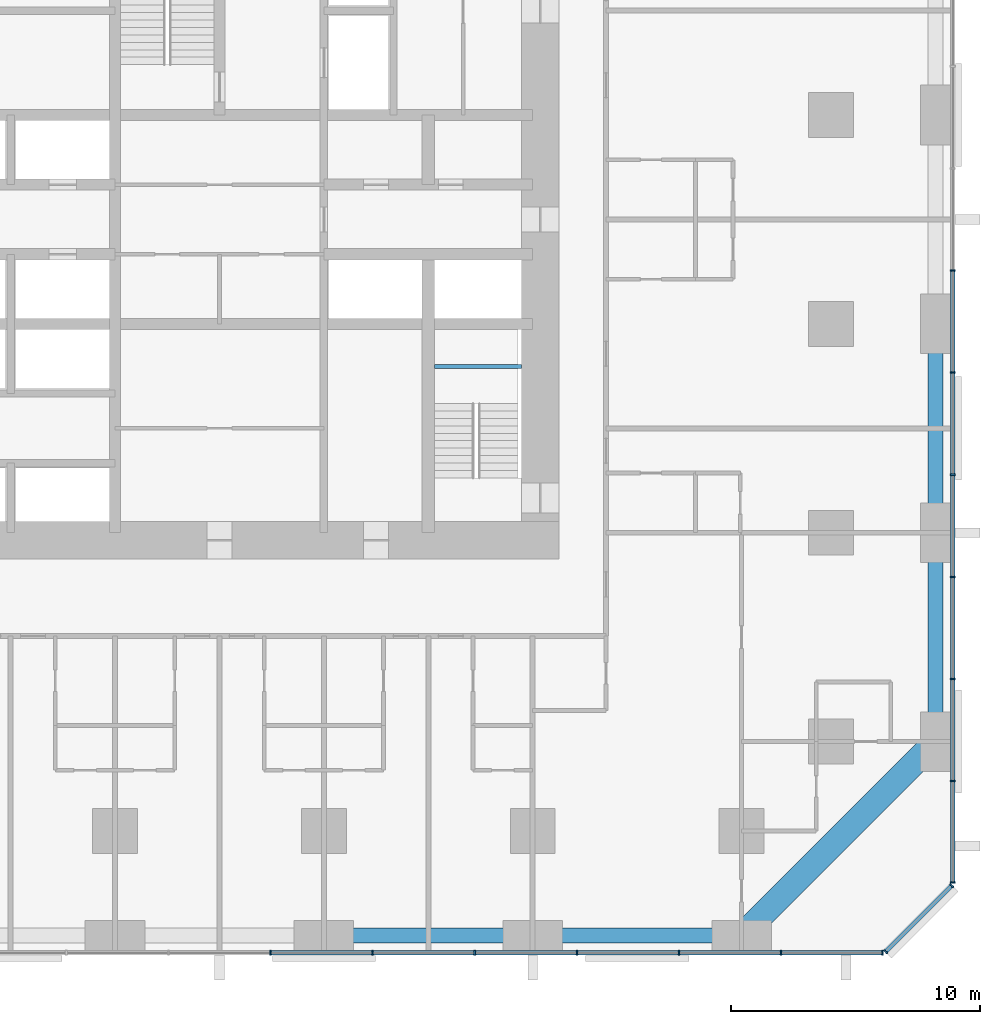
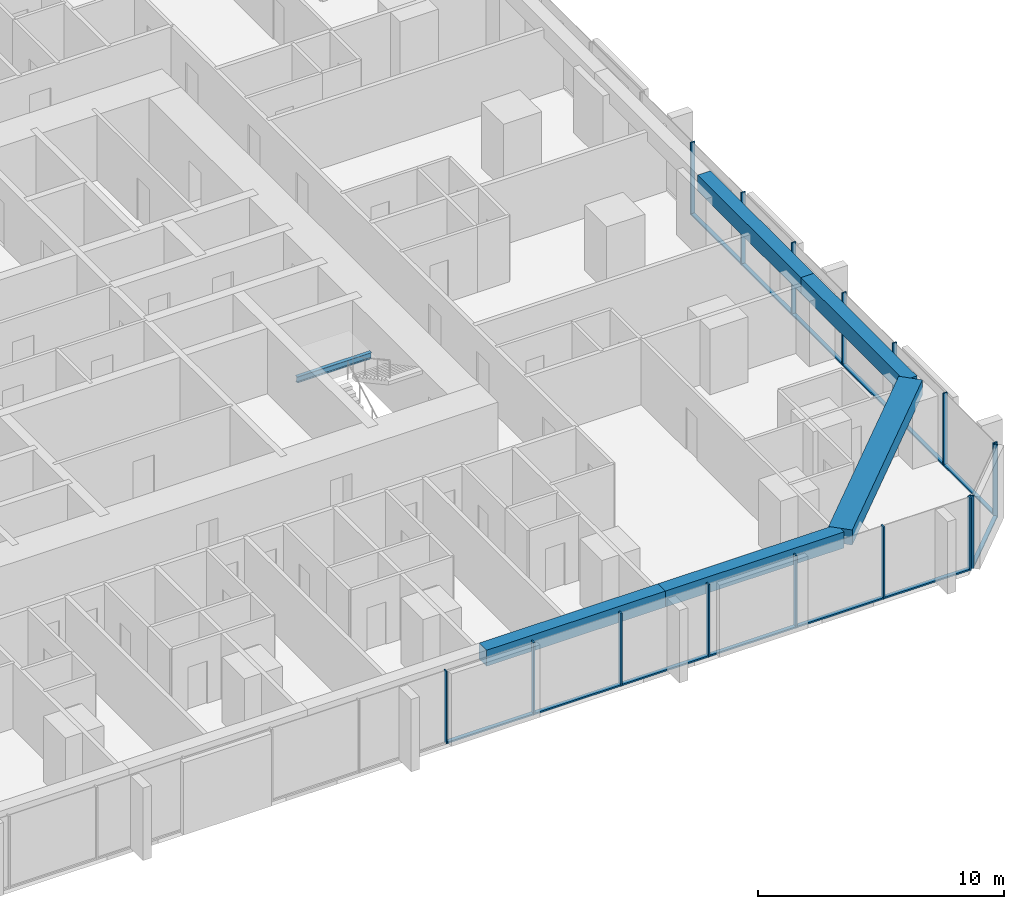
# One storey, part 4 of 17: 29 members, 6 beams, 3 elements without a shape of their own.
"""IFC4 building model written with IfcOpenShell, lengths in metres."""

import ifcopenshell
import ifcopenshell.guid

model = None  # the IFC model being written
_history = None  # IfcOwnerHistory: only IFC2X3 demands one
_inside = {}  # id of a spatial element -> (the spatial element, [elements in it])
_under = {}  # id of a project, library or spatial element -> (it, [spatial elements below it])
_declared = {}  # id of a project -> (the project, [libraries it declares])
_typed = {}  # id of a type object -> (the type object, [elements of that type])
_made_of = {}  # id of a material, layer set ... -> (it, [elements and type objects made of it])


def new_model(schema):
    """Start an empty IFC model of exactly this schema.

    Asked for "IFC4X3", IfcOpenShell would pick the latest addendum, in which some entities
    have other attributes; the version numbers below select the first issue.
    IFC2X3 requires an IfcOwnerHistory on every rooted entity: one is made here for all.
    """
    global model, _history
    if schema == "IFC4X3":
        model = ifcopenshell.file(schema_version=(4, 3, 0, 0))
    else:
        model = ifcopenshell.file(schema=schema)
    _inside.clear()
    _under.clear()
    _declared.clear()
    _typed.clear()
    _made_of.clear()
    _history = None
    if model.schema == "IFC2X3":
        org = make("IfcOrganization", Name="unknown")
        user = make(
            "IfcPersonAndOrganization",
            ThePerson=make("IfcPerson", FamilyName="unknown"),
            TheOrganization=org,
        )
        app = make(
            "IfcApplication",
            ApplicationDeveloper=org,
            Version="unknown",
            ApplicationFullName="unknown",
            ApplicationIdentifier="unknown",
        )
        _history = make(
            "IfcOwnerHistory",
            OwningUser=user,
            OwningApplication=app,
            ChangeAction="ADDED",
            CreationDate=0,
        )
    return model


def make(cls, **values):
    """One entity of the class cls with the attributes given. An attribute that is None is left unset."""
    return model.create_entity(
        cls, **{name: value for name, value in values.items() if value is not None}
    )


def rooted(cls, **values):
    """An entity with a GlobalId (a new one), such as an element, a storey or a relation."""
    return make(cls, GlobalId=ifcopenshell.guid.new(), OwnerHistory=_history, **values)


def si_unit(unit_type, name, prefix=None):
    """IfcSIUnit, for example si_unit("LENGTHUNIT", "METRE", prefix="MILLI")."""
    return make("IfcSIUnit", UnitType=unit_type, Prefix=prefix, Name=name)


def assignment(units):
    """IfcUnitAssignment: the units of a project."""
    return None if units is None else make("IfcUnitAssignment", Units=units)


def point(xyz):
    """IfcCartesianPoint."""
    return None if xyz is None else make("IfcCartesianPoint", Coordinates=xyz)


def direction(xyz):
    """IfcDirection."""
    return None if xyz is None else make("IfcDirection", DirectionRatios=xyz)


def frame(location, z_axis=None, x_axis=None):
    """IfcAxis2Placement3D, a coordinate frame: its origin and axes. An axis left out is left unset."""
    return make(
        "IfcAxis2Placement3D",
        Location=point(location),
        Axis=direction(z_axis),
        RefDirection=direction(x_axis),
    )


def frame_2d(location, x_axis=None):
    """IfcAxis2Placement2D, a coordinate frame in the plane: its origin and x axis."""
    return make(
        "IfcAxis2Placement2D", Location=point(location), RefDirection=direction(x_axis)
    )


def origin():
    """The frame at (0, 0, 0) with its axes left unset."""
    return frame((0.0, 0.0, 0.0))


def origin_2d():
    """The frame at (0, 0) in the plane with its x axis left unset."""
    return frame_2d((0.0, 0.0))


def place(relative_to, where):
    """IfcLocalPlacement: puts the frame where relative to a parent placement (None: the world)."""
    return make(
        "IfcLocalPlacement", PlacementRelTo=relative_to, RelativePlacement=where
    )


def context(
    kind, dimensions, precision=None, world=None, true_north=None, identifier=None
):
    """IfcGeometricRepresentationContext, for example the 3D "Model" context."""
    return make(
        "IfcGeometricRepresentationContext",
        ContextIdentifier=identifier,
        ContextType=kind,
        CoordinateSpaceDimension=dimensions,
        Precision=precision,
        WorldCoordinateSystem=world,
        TrueNorth=true_north,
    )


def subcontext(parent, identifier, kind, view, scale=None):
    """IfcGeometricRepresentationSubContext, for example "Body" below "Model"."""
    return make(
        "IfcGeometricRepresentationSubContext",
        ContextIdentifier=identifier,
        ContextType=kind,
        ParentContext=parent,
        TargetScale=scale,
        TargetView=view,
    )


def project(units=None, contexts=None):
    """IfcProject with its units and contexts."""
    return rooted(
        "IfcProject",
        Name="project",
        RepresentationContexts=contexts,
        UnitsInContext=assignment(units),
    )


def spatial(cls, under=None, at=None, **own):
    """A site, building, storey or space (cls), placed at a placement, below another one or the project."""
    s = rooted(cls, ObjectPlacement=at, **own)
    if under is not None:
        _under.setdefault(under.id(), (under, []))[1].append(s)
    return s


def profile(cls, at=None, kind="AREA", **sizes):
    """A parametric profile (cls). Its sizes go by their IFC names, for example OverallWidth=200.0."""
    return make(cls, ProfileType=kind, Position=at, **sizes)


def rectangle(**sizes):
    """IfcRectangleProfileDef."""
    return profile("IfcRectangleProfileDef", **sizes)


def i_section(**sizes):
    """IfcIShapeProfileDef."""
    return profile("IfcIShapeProfileDef", **sizes)


def extrude(swept, where, along, depth):
    """IfcExtrudedAreaSolid: the profile swept, set in the frame where, extruded along a direction by depth."""
    return make(
        "IfcExtrudedAreaSolid",
        SweptArea=swept,
        Position=where,
        ExtrudedDirection=direction(along),
        Depth=depth,
    )


def shape(context_of_items, identifier, shape_type, items):
    """IfcShapeRepresentation: the items that make up one representation, for example the "Body"."""
    return make(
        "IfcShapeRepresentation",
        ContextOfItems=context_of_items,
        RepresentationIdentifier=identifier,
        RepresentationType=shape_type,
        Items=items,
    )


def material(Name=None, Category=None):
    """IfcMaterial."""
    return make("IfcMaterial", Name=Name, Category=Category)


def material_profile(
    of_material, cross_section, Name=None, Category=None, Priority=None
):
    """IfcMaterialProfile: a cross section and its material."""
    return make(
        "IfcMaterialProfile",
        Name=Name,
        Material=of_material,
        Profile=cross_section,
        Priority=Priority,
        Category=Category,
    )


def profile_set(profiles, Name=None, composite=None):
    """IfcMaterialProfileSet."""
    return make(
        "IfcMaterialProfileSet",
        Name=Name,
        MaterialProfiles=profiles,
        CompositeProfile=composite,
    )


def made_of(thing, what):
    """Note that an element or type object is made of a material, layer set ...; save() writes the relation."""
    if what is not None:
        _made_of.setdefault(what.id(), (what, []))[1].append(thing)
    return thing


def type_object(cls, material=None, **own):
    """A type object (cls), such as IfcWallType, which elements share."""
    return made_of(rooted(cls, **own), material)


def element(
    cls,
    number,
    at=None,
    inside=None,
    cuts=None,
    type_object=None,
    material=None,
    context=None,
    identifier="Body",
    shape_type=None,
    held_by="IfcProductDefinitionShape",
    body=None,
    shapes=None,
    **own,
):
    """One element of the class cls, such as IfcWall. Its Tag is "e" and its number.

    at: its placement. inside: the storey or other place that contains it. cuts: it is an
    opening in that element (IfcRelVoidsElement). A single representation is given by context,
    identifier, shape_type and body (its items); several are given by shapes. held_by: the class
    of the entity that holds the representations. save() writes the other relations.
    """
    e = rooted(cls, Tag="e%d" % number, ObjectPlacement=at, **own)
    if body is not None:
        shapes = [shape(context, identifier, shape_type, body)]
    if shapes is not None:
        e.Representation = make(held_by, Representations=shapes)
    if inside is not None:
        _inside.setdefault(inside.id(), (inside, []))[1].append(e)
    if cuts is not None:
        rooted(
            "IfcRelVoidsElement", RelatingBuildingElement=cuts, RelatedOpeningElement=e
        )
    if type_object is not None:
        _typed.setdefault(type_object.id(), (type_object, []))[1].append(e)
    return made_of(e, material)


def aggregate(whole, parts):
    """IfcRelAggregates: a whole, such as a stair, and the parts it consists of."""
    return rooted("IfcRelAggregates", RelatingObject=whole, RelatedObjects=parts)


def save(model, path):
    """Write the relations noted so far, then the file.

    IfcRelAggregates (storeys below a building ...), IfcRelContainedInSpatialStructure (elements
    in a storey), IfcRelDefinesByType, IfcRelAssociatesMaterial and IfcRelDeclares: one each for
    every whole, place, type object, material and project.
    """
    for whole, parts in _under.values():
        aggregate(whole, parts)
    for where, things in _inside.values():
        rooted(
            "IfcRelContainedInSpatialStructure",
            RelatedElements=things,
            RelatingStructure=where,
        )
    for kind, things in _typed.values():
        rooted("IfcRelDefinesByType", RelatedObjects=things, RelatingType=kind)
    for what, things in _made_of.values():
        rooted("IfcRelAssociatesMaterial", RelatedObjects=things, RelatingMaterial=what)
    for by, libraries in _declared.values():
        rooted("IfcRelDeclares", RelatingContext=by, RelatedDefinitions=libraries)
    model.write(path)


model = new_model("IFC4")

# Units and contexts
model_context = context("Model", 3, precision=1e-05, world=origin(), true_north=direction((0.0, 1.0)))
body_context = subcontext(model_context, "Body", "Model", "MODEL_VIEW")
ifc_project = project(units=[si_unit("LENGTHUNIT", "METRE"), si_unit("AREAUNIT", "SQUARE_METRE"), si_unit("VOLUMEUNIT", "CUBIC_METRE"), si_unit("PLANEANGLEUNIT", "RADIAN"), si_unit("MASSUNIT", "GRAM", prefix="KILO")], contexts=[model_context])

# Site, building, storey
site_placement = place(None, origin())
site = spatial("IfcSite", under=ifc_project, at=site_placement, CompositionType="ELEMENT")
building_placement = place(site_placement, origin())
building = spatial("IfcBuilding", under=site, at=building_placement, Name="Dunama Terrace Hotel", CompositionType="ELEMENT")
storey_placement = place(building_placement, frame((0.0, 0.0, 70.199951171875)))
storey = spatial("IfcBuildingStorey", under=building, at=storey_placement, Name="L17", CompositionType="ELEMENT", Elevation=70.199951171875)

# Curtain wall, members
ifc_material_1 = material(Name="Aluminium curtain wall system", Category="aluminium")
curtain_wall_type = type_object("IfcCurtainWallType", Name="Unitised fritted glass wall CW-A", PredefinedType="NOTDEFINED", material=ifc_material_1)
curtain_wall_1_placement = place(storey_placement, origin())
curtain_wall_1 = element("IfcCurtainWall", 1, at=curtain_wall_1_placement, inside=storey, type_object=curtain_wall_type, Name="Unitised fritted glass wall CW-A L17", PredefinedType="NOTDEFINED")
ifc_material_2 = material(Name="Aluminium mullion", Category="aluminium")
ifc_material_profile_1 = material_profile(ifc_material_2, rectangle(XDim=0.06494140625, YDim=0.199951171875, at=origin_2d()), Name="CWA MULLION 65X200")
ifc_profile_set_1 = profile_set([ifc_material_profile_1], Name="Aluminium mullion")
member_type_1 = type_object("IfcMemberType", Name="CWA mullion 65x200", PredefinedType="MULLION", material=ifc_profile_set_1)
member_1_placement = place(storey_placement, frame((31.4541015625, -0.10009765625, 0.0), z_axis=(0.0, 0.0, 1.0), x_axis=(1.0, 0.0, 0.0)))
member_1 = element("IfcMember", 2, at=member_1_placement, type_object=member_type_1, Name="CWA mullion", PredefinedType="MULLION", context=body_context, shape_type="SweptSolid", body=[
    extrude(rectangle(XDim=0.06494140625, YDim=0.199951171875, at=origin_2d()), origin(), (0.0, 0.0, 1.0), 3.60009765625),
])
member_2_placement = place(storey_placement, frame((35.56201171875, -0.10009765625, 0.0), z_axis=(0.0, 0.0, 1.0), x_axis=(1.0, 0.0, 0.0)))
member_2 = element("IfcMember", 3, at=member_2_placement, type_object=member_type_1, Name="CWA mullion", PredefinedType="MULLION", context=body_context, shape_type="SweptSolid", body=[
    extrude(rectangle(XDim=0.06494140625, YDim=0.199951171875, at=origin_2d()), origin(), (0.0, 0.0, 1.0), 3.60009765625),
])
member_3_placement = place(storey_placement, frame((39.6689453125, -0.10009765625, 0.0), z_axis=(0.0, 0.0, 1.0), x_axis=(1.0, 0.0, 0.0)))
member_3 = element("IfcMember", 4, at=member_3_placement, type_object=member_type_1, Name="CWA mullion", PredefinedType="MULLION", context=body_context, shape_type="SweptSolid", body=[
    extrude(rectangle(XDim=0.06494140625, YDim=0.199951171875, at=origin_2d()), origin(), (0.0, 0.0, 1.0), 3.60009765625),
])
member_4_placement = place(storey_placement, frame((43.777099609375, -0.10009765625, 0.0), z_axis=(0.0, 0.0, 1.0), x_axis=(1.0, 0.0, 0.0)))
member_4 = element("IfcMember", 5, at=member_4_placement, type_object=member_type_1, Name="CWA mullion", PredefinedType="MULLION", context=body_context, shape_type="SweptSolid", body=[
    extrude(rectangle(XDim=0.06494140625, YDim=0.199951171875, at=origin_2d()), origin(), (0.0, 0.0, 1.0), 3.60009765625),
])
member_5_placement = place(storey_placement, frame((47.885009765625, -0.10009765625, 0.0), z_axis=(0.0, 0.0, 1.0), x_axis=(1.0, 0.0, 0.0)))
member_5 = element("IfcMember", 6, at=member_5_placement, type_object=member_type_1, Name="CWA mullion", PredefinedType="MULLION", context=body_context, shape_type="SweptSolid", body=[
    extrude(rectangle(XDim=0.06494140625, YDim=0.199951171875, at=origin_2d()), origin(), (0.0, 0.0, 1.0), 3.60009765625),
])
member_6_placement = place(storey_placement, frame((51.991943359375, -0.10009765625, 0.0), z_axis=(0.0, 0.0, 1.0), x_axis=(1.0, 0.0, 0.0)))
member_6 = element("IfcMember", 7, at=member_6_placement, type_object=member_type_1, Name="CWA mullion", PredefinedType="MULLION", context=body_context, shape_type="SweptSolid", body=[
    extrude(rectangle(XDim=0.06494140625, YDim=0.199951171875, at=origin_2d()), origin(), (0.0, 0.0, 1.0), 3.60009765625),
])
member_7_placement = place(storey_placement, frame((56.06689453125, -0.10009765625, 0.0), z_axis=(0.0, 0.0, 1.0), x_axis=(1.0, 0.0, 0.0)))
member_7 = element("IfcMember", 8, at=member_7_placement, type_object=member_type_1, Name="CWA mullion", PredefinedType="MULLION", context=body_context, shape_type="SweptSolid", body=[
    extrude(rectangle(XDim=0.06494140625, YDim=0.199951171875, at=origin_2d()), origin(), (0.0, 0.0, 1.0), 3.60009765625),
])

curtain_wall_2_placement = place(storey_placement, origin())
curtain_wall_2 = element("IfcCurtainWall", 9, at=curtain_wall_2_placement, inside=storey, type_object=curtain_wall_type, Name="Unitised fritted glass wall CW-A L17", PredefinedType="NOTDEFINED")
member_8_placement = place(storey_placement, frame((56.194091796875, -0.048095703125, 0.0), z_axis=(0.0, 0.0, 1.0), x_axis=(0.707106781187, 0.707106781187, 0.0)))
member_8 = element("IfcMember", 10, at=member_8_placement, type_object=member_type_1, Name="CWA mullion", PredefinedType="MULLION", context=body_context, shape_type="SweptSolid", body=[
    extrude(rectangle(XDim=0.06494140625, YDim=0.199951171875, at=origin_2d()), origin(), (0.0, 0.0, 1.0), 3.60009765625),
])
member_9_placement = place(storey_placement, frame((58.847900390625, 2.60595703125, 0.0), z_axis=(0.0, 0.0, 1.0), x_axis=(0.707106781187, 0.707106781187, 0.0)))
member_9 = element("IfcMember", 11, at=member_9_placement, type_object=member_type_1, Name="CWA mullion", PredefinedType="MULLION", context=body_context, shape_type="SweptSolid", body=[
    extrude(rectangle(XDim=0.06494140625, YDim=0.199951171875, at=origin_2d()), origin(), (0.0, 0.0, 1.0), 3.60009765625),
])

curtain_wall_3_placement = place(storey_placement, origin())
curtain_wall_3 = element("IfcCurtainWall", 12, at=curtain_wall_3_placement, inside=storey, type_object=curtain_wall_type, Name="Unitised fritted glass wall CW-A L17", PredefinedType="NOTDEFINED")
member_10_placement = place(storey_placement, frame((58.89990234375, 2.73291015625, 0.0), z_axis=(0.0, 0.0, 1.0), x_axis=(0.0, 1.0, 0.0)))
member_10 = element("IfcMember", 13, at=member_10_placement, type_object=member_type_1, Name="CWA mullion", PredefinedType="MULLION", context=body_context, shape_type="SweptSolid", body=[
    extrude(rectangle(XDim=0.06494140625, YDim=0.199951171875, at=origin_2d()), origin(), (0.0, 0.0, 1.0), 3.60009765625),
])
member_11_placement = place(storey_placement, frame((58.89990234375, 6.80810546875, 0.0), z_axis=(0.0, 0.0, 1.0), x_axis=(0.0, 1.0, 0.0)))
member_11 = element("IfcMember", 14, at=member_11_placement, type_object=member_type_1, Name="CWA mullion", PredefinedType="MULLION", context=body_context, shape_type="SweptSolid", body=[
    extrude(rectangle(XDim=0.06494140625, YDim=0.199951171875, at=origin_2d()), origin(), (0.0, 0.0, 1.0), 3.60009765625),
])
member_12_placement = place(storey_placement, frame((58.89990234375, 10.9150390625, 0.0), z_axis=(0.0, 0.0, 1.0), x_axis=(0.0, 1.0, 0.0)))
member_12 = element("IfcMember", 15, at=member_12_placement, type_object=member_type_1, Name="CWA mullion", PredefinedType="MULLION", context=body_context, shape_type="SweptSolid", body=[
    extrude(rectangle(XDim=0.06494140625, YDim=0.199951171875, at=origin_2d()), origin(), (0.0, 0.0, 1.0), 3.60009765625),
])
member_13_placement = place(storey_placement, frame((58.89990234375, 15.02294921875, 0.0), z_axis=(0.0, 0.0, 1.0), x_axis=(0.0, 1.0, 0.0)))
member_13 = element("IfcMember", 16, at=member_13_placement, type_object=member_type_1, Name="CWA mullion", PredefinedType="MULLION", context=body_context, shape_type="SweptSolid", body=[
    extrude(rectangle(XDim=0.06494140625, YDim=0.199951171875, at=origin_2d()), origin(), (0.0, 0.0, 1.0), 3.60009765625),
])
member_14_placement = place(storey_placement, frame((58.89990234375, 19.131103515625, 0.0), z_axis=(0.0, 0.0, 1.0), x_axis=(0.0, 1.0, 0.0)))
member_14 = element("IfcMember", 17, at=member_14_placement, type_object=member_type_1, Name="CWA mullion", PredefinedType="MULLION", context=body_context, shape_type="SweptSolid", body=[
    extrude(rectangle(XDim=0.06494140625, YDim=0.199951171875, at=origin_2d()), origin(), (0.0, 0.0, 1.0), 3.60009765625),
])
member_15_placement = place(storey_placement, frame((58.89990234375, 23.238037109375, 0.0), z_axis=(0.0, 0.0, 1.0), x_axis=(0.0, 1.0, 0.0)))
member_15 = element("IfcMember", 18, at=member_15_placement, type_object=member_type_1, Name="CWA mullion", PredefinedType="MULLION", context=body_context, shape_type="SweptSolid", body=[
    extrude(rectangle(XDim=0.06494140625, YDim=0.199951171875, at=origin_2d()), origin(), (0.0, 0.0, 1.0), 3.60009765625),
])
member_16_placement = place(storey_placement, frame((58.89990234375, 27.345947265625, 0.0), z_axis=(0.0, 0.0, 1.0), x_axis=(0.0, 1.0, 0.0)))
member_16 = element("IfcMember", 19, at=member_16_placement, type_object=member_type_1, Name="CWA mullion", PredefinedType="MULLION", context=body_context, shape_type="SweptSolid", body=[
    extrude(rectangle(XDim=0.06494140625, YDim=0.199951171875, at=origin_2d()), origin(), (0.0, 0.0, 1.0), 3.60009765625),
])

# Member
ifc_material_3 = material(Name="Aluminium transom", Category="aluminium")
ifc_material_profile_2 = material_profile(ifc_material_3, rectangle(XDim=0.179931640625, YDim=0.074951171875, at=origin_2d()), Name="CWA TRANSOM 180X75")
ifc_profile_set_2 = profile_set([ifc_material_profile_2], Name="Aluminium transom")
member_type_2 = type_object("IfcMemberType", Name="CWA transom 180x75", PredefinedType="USERDEFINED", material=ifc_profile_set_2)
member_17_placement = place(storey_placement, frame((31.486083984375, -0.10009765625, 0.03759765625), z_axis=(1.0, 0.0, 0.0), x_axis=(0.0, 1.0, 0.0)))
member_17 = element("IfcMember", 20, at=member_17_placement, type_object=member_type_2, Name="CWA transom", ObjectType="TRANSOM", PredefinedType="USERDEFINED", context=body_context, shape_type="SweptSolid", body=[
    extrude(rectangle(XDim=0.179931640625, YDim=0.074951171875, at=origin_2d()), origin(), (0.0, 0.0, 1.0), 4.04296875),
])

member_18_placement = place(storey_placement, frame((35.593994140625, -0.10009765625, 0.03759765625), z_axis=(1.0, 0.0, 0.0), x_axis=(0.0, 1.0, 0.0)))
member_18 = element("IfcMember", 21, at=member_18_placement, type_object=member_type_2, Name="CWA transom", ObjectType="TRANSOM", PredefinedType="USERDEFINED", context=body_context, shape_type="SweptSolid", body=[
    extrude(rectangle(XDim=0.179931640625, YDim=0.074951171875, at=origin_2d()), origin(), (0.0, 0.0, 1.0), 4.04296875),
])

member_19_placement = place(storey_placement, frame((39.701904296875, -0.10009765625, 0.03759765625), z_axis=(1.0, 0.0, 0.0), x_axis=(0.0, 1.0, 0.0)))
member_19 = element("IfcMember", 22, at=member_19_placement, type_object=member_type_2, Name="CWA transom", ObjectType="TRANSOM", PredefinedType="USERDEFINED", context=body_context, shape_type="SweptSolid", body=[
    extrude(rectangle(XDim=0.179931640625, YDim=0.074951171875, at=origin_2d()), origin(), (0.0, 0.0, 1.0), 4.0419921875),
])

member_20_placement = place(storey_placement, frame((43.80908203125, -0.10009765625, 0.03759765625), z_axis=(1.0, 0.0, 0.0), x_axis=(0.0, 1.0, 0.0)))
member_20 = element("IfcMember", 23, at=member_20_placement, type_object=member_type_2, Name="CWA transom", ObjectType="TRANSOM", PredefinedType="USERDEFINED", context=body_context, shape_type="SweptSolid", body=[
    extrude(rectangle(XDim=0.179931640625, YDim=0.074951171875, at=origin_2d()), origin(), (0.0, 0.0, 1.0), 4.04296875),
])

member_21_placement = place(storey_placement, frame((47.9169921875, -0.10009765625, 0.03759765625), z_axis=(1.0, 0.0, 0.0), x_axis=(0.0, 1.0, 0.0)))
member_21 = element("IfcMember", 24, at=member_21_placement, type_object=member_type_2, Name="CWA transom", ObjectType="TRANSOM", PredefinedType="USERDEFINED", context=body_context, shape_type="SweptSolid", body=[
    extrude(rectangle(XDim=0.179931640625, YDim=0.074951171875, at=origin_2d()), origin(), (0.0, 0.0, 1.0), 4.04296875),
])

member_22_placement = place(storey_placement, frame((52.02490234375, -0.10009765625, 0.03759765625), z_axis=(1.0, 0.0, 0.0), x_axis=(0.0, 1.0, 0.0)))
member_22 = element("IfcMember", 25, at=member_22_placement, type_object=member_type_2, Name="CWA transom", ObjectType="TRANSOM", PredefinedType="USERDEFINED", context=body_context, shape_type="SweptSolid", body=[
    extrude(rectangle(XDim=0.179931640625, YDim=0.074951171875, at=origin_2d()), origin(), (0.0, 0.0, 1.0), 4.010009765625),
])

aggregate(curtain_wall_1, [member_1, member_2, member_3, member_4, member_5, member_6, member_7, member_17, member_18, member_19, member_20, member_21, member_22])

member_23_placement = place(storey_placement, frame((56.217041015625, -0.02490234375, 0.03759765625), z_axis=(0.707106781187, 0.707106781187, 0.0), x_axis=(-0.707106781187, 0.707106781187, 0.0)))
member_23 = element("IfcMember", 26, at=member_23_placement, type_object=member_type_2, Name="CWA transom", ObjectType="TRANSOM", PredefinedType="USERDEFINED", context=body_context, shape_type="SweptSolid", body=[
    extrude(rectangle(XDim=0.179931640625, YDim=0.074951171875, at=origin_2d()), origin(), (0.0, 0.0, 1.0), 3.688232421875),
])

aggregate(curtain_wall_2, [member_8, member_9, member_23])

member_24_placement = place(storey_placement, frame((58.89990234375, 2.764892578125, 0.03759765625), z_axis=(0.0, 1.0, 0.0), x_axis=(-1.0, 0.0, 0.0)))
member_24 = element("IfcMember", 27, at=member_24_placement, type_object=member_type_2, Name="CWA transom", ObjectType="TRANSOM", PredefinedType="USERDEFINED", context=body_context, shape_type="SweptSolid", body=[
    extrude(rectangle(XDim=0.179931640625, YDim=0.074951171875, at=origin_2d()), origin(), (0.0, 0.0, 1.0), 4.010009765625),
])

member_25_placement = place(storey_placement, frame((58.89990234375, 6.840087890625, 0.03759765625), z_axis=(0.0, 1.0, 0.0), x_axis=(-1.0, 0.0, 0.0)))
member_25 = element("IfcMember", 28, at=member_25_placement, type_object=member_type_2, Name="CWA transom", ObjectType="TRANSOM", PredefinedType="USERDEFINED", context=body_context, shape_type="SweptSolid", body=[
    extrude(rectangle(XDim=0.179931640625, YDim=0.074951171875, at=origin_2d()), origin(), (0.0, 0.0, 1.0), 4.04296875),
])

member_26_placement = place(storey_placement, frame((58.89990234375, 10.947998046875, 0.03759765625), z_axis=(0.0, 1.0, 0.0), x_axis=(-1.0, 0.0, 0.0)))
member_26 = element("IfcMember", 29, at=member_26_placement, type_object=member_type_2, Name="CWA transom", ObjectType="TRANSOM", PredefinedType="USERDEFINED", context=body_context, shape_type="SweptSolid", body=[
    extrude(rectangle(XDim=0.179931640625, YDim=0.074951171875, at=origin_2d()), origin(), (0.0, 0.0, 1.0), 4.04296875),
])

member_27_placement = place(storey_placement, frame((58.89990234375, 15.055908203125, 0.03759765625), z_axis=(0.0, 1.0, 0.0), x_axis=(-1.0, 0.0, 0.0)))
member_27 = element("IfcMember", 30, at=member_27_placement, type_object=member_type_2, Name="CWA transom", ObjectType="TRANSOM", PredefinedType="USERDEFINED", context=body_context, shape_type="SweptSolid", body=[
    extrude(rectangle(XDim=0.179931640625, YDim=0.074951171875, at=origin_2d()), origin(), (0.0, 0.0, 1.0), 4.0419921875),
])

member_28_placement = place(storey_placement, frame((58.89990234375, 19.1630859375, 0.03759765625), z_axis=(0.0, 1.0, 0.0), x_axis=(-1.0, 0.0, 0.0)))
member_28 = element("IfcMember", 31, at=member_28_placement, type_object=member_type_2, Name="CWA transom", ObjectType="TRANSOM", PredefinedType="USERDEFINED", context=body_context, shape_type="SweptSolid", body=[
    extrude(rectangle(XDim=0.179931640625, YDim=0.074951171875, at=origin_2d()), origin(), (0.0, 0.0, 1.0), 4.04296875),
])

member_29_placement = place(storey_placement, frame((58.89990234375, 23.27099609375, 0.03759765625), z_axis=(0.0, 1.0, 0.0), x_axis=(-1.0, 0.0, 0.0)))
member_29 = element("IfcMember", 32, at=member_29_placement, type_object=member_type_2, Name="CWA transom", ObjectType="TRANSOM", PredefinedType="USERDEFINED", context=body_context, shape_type="SweptSolid", body=[
    extrude(rectangle(XDim=0.179931640625, YDim=0.074951171875, at=origin_2d()), origin(), (0.0, 0.0, 1.0), 4.04296875),
])

aggregate(curtain_wall_3, [member_10, member_11, member_12, member_13, member_14, member_15, member_16, member_24, member_25, member_26, member_27, member_28, member_29])

# Beams
ifc_material_4 = material(Name="Concrete C50/60", Category="concrete")
ifc_material_profile_3 = material_profile(ifc_material_4, rectangle(XDim=1.0, YDim=0.75, at=origin_2d()), Name="RC 1000x750")
ifc_profile_set_3 = profile_set([ifc_material_profile_3], Name="Concrete C50/60")
beam_type_1 = type_object("IfcBeamType", Name="Edge beam RC 1000x750", PredefinedType="SPANDREL", material=ifc_profile_set_3)
beam_1_placement = place(storey_placement, frame((50.39990234375, 0.60009765625, 3.22509765625), z_axis=(0.707117847453, 0.707095714747, 0.0), x_axis=(-0.707095714747, 0.707117847453, 0.0)))
element("IfcBeam", 33, at=beam_1_placement, inside=storey, type_object=beam_type_1, Name="Corner edge beam under L18", PredefinedType="SPANDREL", context=body_context, shape_type="SweptSolid", body=[
    extrude(rectangle(XDim=1.0, YDim=0.75, at=origin_2d()), origin(), (0.0, 0.0, 1.0), 11.03076171875),
])
ifc_material_5 = material(Name="Concrete C40/50", Category="concrete")
ifc_material_profile_4 = material_profile(ifc_material_5, rectangle(XDim=0.60009765625, YDim=0.800048828125, at=origin_2d()), Name="RC 600x800")
ifc_profile_set_4 = profile_set([ifc_material_profile_4], Name="Concrete C40/50")
beam_type_2 = type_object("IfcBeamType", Name="Edge beam RC 600x800", PredefinedType="SPANDREL", material=ifc_profile_set_4)
beam_2_placement = place(storey_placement, frame((58.199951171875, 8.39990234375, 3.199951171875), z_axis=(0.0, 1.0, 0.0), x_axis=(-1.0, 0.0, 0.0)))
element("IfcBeam", 34, at=beam_2_placement, inside=storey, type_object=beam_type_2, Name="Edge beam under L18", PredefinedType="SPANDREL", context=body_context, shape_type="SweptSolid", body=[
    extrude(rectangle(XDim=0.60009765625, YDim=0.800048828125, at=origin_2d()), origin(), (0.0, 0.0, 1.0), 8.400146484375),
])
for number, where, z_axis, x_axis, name in (
    (35, (58.199951171875, 16.800048828125, 3.199951171875), (0.0, 1.0, 0.0), (-1.0, 0.0, 0.0), "Edge beam under L18"),
    (36, (33.60009765625, 0.60009765625, 3.199951171875), (1.0, 0.0, 0.0), (0.0, 1.0, 0.0), "Edge beam under L18"),
    (37, (42.0, 0.60009765625, 3.199951171875), (1.0, 0.0, 0.0), (0.0, 1.0, 0.0), "Edge beam under L18"),
):
    element("IfcBeam", number, at=place(storey_placement, frame(where, z_axis=z_axis, x_axis=x_axis)), inside=storey, type_object=beam_type_2, Name=name, PredefinedType="SPANDREL", context=body_context, shape_type="SweptSolid", body=[
        extrude(rectangle(XDim=0.60009765625, YDim=0.800048828125, at=origin_2d()), origin(), (0.0, 0.0, 1.0), 8.39990234375),
    ])
ifc_material_6 = material(Name="Steel S355", Category="steel")
ifc_material_profile_5 = material_profile(ifc_material_6, i_section(OverallWidth=0.1650390625, OverallDepth=0.303466796875, WebThickness=0.006103515625, FlangeThickness=0.01025390625, FilletRadius=0.0087890625, at=origin_2d()), Name="UB 305x165x40")
ifc_profile_set_5 = profile_set([ifc_material_profile_5], Name="Steel S355")
beam_type_3 = type_object("IfcBeamType", Name="Stair beam UB 305x165x40", PredefinedType="BEAM", material=ifc_profile_set_5)
beam_3_placement = place(storey_placement, frame((38.050048828125, 23.487548828125, 1.4482421875), z_axis=(1.0, 0.0, 0.0), x_axis=(0.0, 1.0, 0.0)))
element("IfcBeam", 38, at=beam_3_placement, inside=storey, type_object=beam_type_3, Name="Stair landing beam ST2 L17", PredefinedType="BEAM", context=body_context, shape_type="SweptSolid", body=[
    extrude(i_section(OverallWidth=0.1650390625, OverallDepth=0.303466796875, WebThickness=0.006103515625, FlangeThickness=0.01025390625, FilletRadius=0.0087890625, at=origin_2d()), origin(), (0.0, 0.0, 1.0), 3.5),
])

save(model, "model.ifc")
